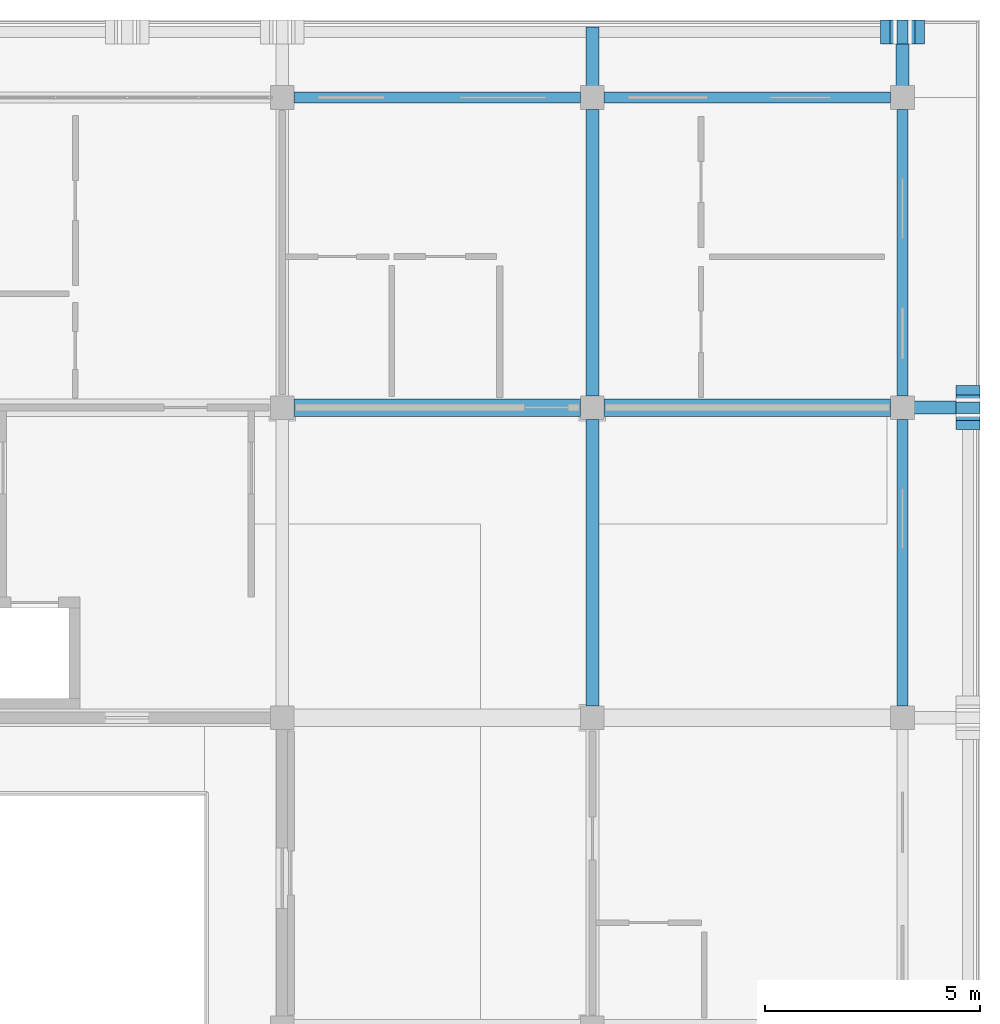
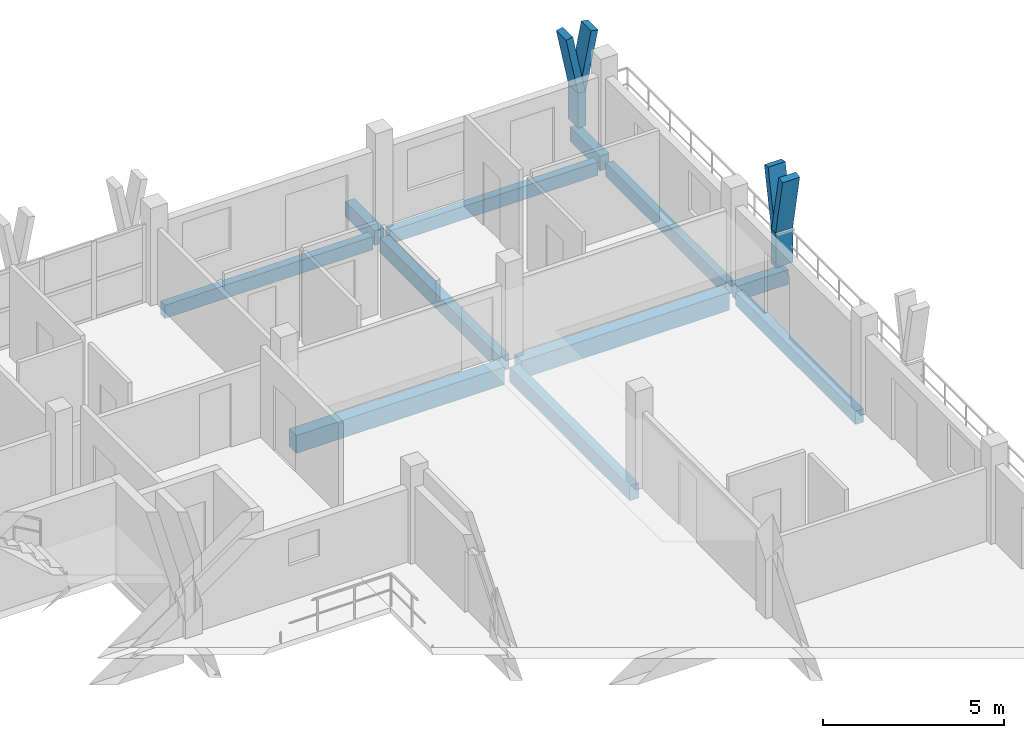
# One storey, part 28 of 60: 11 beams, 6 members.
"""IFC4 building model written with IfcOpenShell, lengths in metres."""

from ifc_helpers import new_model, si_unit, direction, frame, origin, origin_2d, place, context, subcontext, project, spatial, rectangle, extrude, material, material_profile, profile_set, type_object, element, save


model = new_model("IFC4")

# Units and contexts
model_context = context("Model", 3, precision=1e-05, world=origin(), true_north=direction((0.0, 1.0)))
body_context = subcontext(model_context, "Body", "Model", "MODEL_VIEW")
ifc_project = project(units=[si_unit("LENGTHUNIT", "METRE"), si_unit("AREAUNIT", "SQUARE_METRE"), si_unit("VOLUMEUNIT", "CUBIC_METRE"), si_unit("PLANEANGLEUNIT", "RADIAN"), si_unit("MASSUNIT", "GRAM", prefix="KILO")], contexts=[model_context])

# Site, building, storey
site_placement = place(None, origin())
site = spatial("IfcSite", under=ifc_project, at=site_placement, CompositionType="ELEMENT")
building_placement = place(site_placement, origin())
building = spatial("IfcBuilding", under=site, at=building_placement, Name="Suanplinth Sawtooth Commons", CompositionType="ELEMENT")
storey_placement = place(building_placement, frame((0.0, 0.0, 31.5)))
storey = spatial("IfcBuildingStorey", under=building, at=storey_placement, Name="L09", CompositionType="ELEMENT", Elevation=31.5)

# Beams
ifc_material_1 = material(Name="Precast concrete C40/50", Category="concrete")
ifc_material_profile_1 = material_profile(ifc_material_1, rectangle(XDim=0.39990234375, YDim=0.60009765625, at=origin_2d()), Name="PC-GDR 400x600")
ifc_profile_set_1 = profile_set([ifc_material_profile_1], Name="Precast concrete C40/50")
beam_type_1 = type_object("IfcBeamType", Name="B-05", PredefinedType="USERDEFINED", material=ifc_profile_set_1)
for number, where, z_axis, x_axis, name in (
    (1, (173.074951171875, 115.199951171875, -0.550048828125), (1.0, 0.0, 0.0), (0.0, 1.0, 0.0), "BMX-L09-B-24-16"),
    (2, (180.27490234375, 115.199951171875, -0.550048828125), (1.0, 0.0, 0.0), (0.0, 1.0, 0.0), "BMX-L09-B-25-16"),
):
    element("IfcBeam", number, at=place(storey_placement, frame(where, z_axis=z_axis, x_axis=x_axis)), inside=storey, type_object=beam_type_1, Name=name, ObjectType="GIRDER", PredefinedType="USERDEFINED", context=body_context, shape_type="SweptSolid", body=[
        extrude(rectangle(XDim=0.39990234375, YDim=0.60009765625, at=origin_2d()), origin(), (0.0, 0.0, 1.0), 6.650146484375),
    ])
ifc_material_profile_2 = material_profile(ifc_material_1, rectangle(XDim=0.300048828125, YDim=0.5, at=origin_2d()), Name="PC-BM 300x500")
ifc_profile_set_2 = profile_set([ifc_material_profile_2], Name="Precast concrete C40/50")
beam_type_2 = type_object("IfcBeamType", Name="B-07", PredefinedType="BEAM", material=ifc_profile_set_2)
beam_1_placement = place(storey_placement, frame((180.0, 108.27490234375, -0.5), z_axis=(0.0, 1.0, 0.0), x_axis=(-1.0, 0.0, 0.0)))
element("IfcBeam", 3, at=beam_1_placement, inside=storey, type_object=beam_type_2, Name="BMY-L09-B-25-15", PredefinedType="BEAM", context=body_context, shape_type="SweptSolid", body=[
    extrude(rectangle(XDim=0.300048828125, YDim=0.5, at=origin_2d()), origin(), (0.0, 0.0, 1.0), 6.650146484375),
])
beam_2_placement = place(storey_placement, frame((180.0, 115.47509765625, -0.5), z_axis=(0.0, 1.0, 0.0), x_axis=(-1.0, 0.0, 0.0)))
element("IfcBeam", 4, at=beam_2_placement, inside=storey, type_object=beam_type_2, Name="BMY-L09-B-25-16", PredefinedType="BEAM", context=body_context, shape_type="SweptSolid", body=[
    extrude(rectangle(XDim=0.300048828125, YDim=0.5, at=origin_2d()), origin(), (0.0, 0.0, 1.0), 6.64990234375),
])
for number, where, z_axis, x_axis, name in (
    (5, (180.0, 122.39990234375, -0.429931640625), (0.0, 1.0, 0.0), (-1.0, 0.0, 0.0), "Balcony Outrigger L09-B-N-25"),
    (6, (187.199951171875, 122.39990234375, -0.429931640625), (0.0, 1.0, 0.0), (-1.0, 0.0, 0.0), "Balcony Outrigger L09-B-N-26"),
    (7, (187.199951171875, 115.199951171875, -0.429931640625), (1.0, 0.0, 0.0), (0.0, 1.0, 0.0), "Balcony Outrigger L09-B-E-16"),
):
    element("IfcBeam", number, at=place(storey_placement, frame(where, z_axis=z_axis, x_axis=x_axis)), inside=storey, type_object=beam_type_2, Name=name, PredefinedType="BEAM", context=body_context, shape_type="SweptSolid", body=[
        extrude(rectangle(XDim=0.300048828125, YDim=0.5, at=origin_2d()), origin(), (0.0, 0.0, 1.0), 1.64013671875),
    ])
ifc_material_profile_3 = material_profile(ifc_material_1, rectangle(XDim=0.25, YDim=0.449951171875, at=origin_2d()), Name="PC-SP 250x450")
ifc_profile_set_3 = profile_set([ifc_material_profile_3], Name="Precast concrete C40/50")
beam_type_3 = type_object("IfcBeamType", Name="B-09", PredefinedType="SPANDREL", material=ifc_profile_set_3)
for number, where, z_axis, x_axis, name in (
    (8, (173.074951171875, 122.39990234375, -0.47509765625), (1.0, 0.0, 0.0), (0.0, 1.0, 0.0), "BMX-L09-B-24-17"),
    (9, (180.27490234375, 122.39990234375, -0.47509765625), (1.0, 0.0, 0.0), (0.0, 1.0, 0.0), "BMX-L09-B-25-17"),
    (10, (187.199951171875, 108.27490234375, -0.47509765625), (0.0, 1.0, 0.0), (-1.0, 0.0, 0.0), "BMY-L09-B-26-15"),
):
    element("IfcBeam", number, at=place(storey_placement, frame(where, z_axis=z_axis, x_axis=x_axis)), inside=storey, type_object=beam_type_3, Name=name, PredefinedType="SPANDREL", context=body_context, shape_type="SweptSolid", body=[
        extrude(rectangle(XDim=0.25, YDim=0.449951171875, at=origin_2d()), origin(), (0.0, 0.0, 1.0), 6.650146484375),
    ])
beam_3_placement = place(storey_placement, frame((187.199951171875, 115.47509765625, -0.47509765625), z_axis=(0.0, 1.0, 0.0), x_axis=(-1.0, 0.0, 0.0)))
element("IfcBeam", 11, at=beam_3_placement, inside=storey, type_object=beam_type_3, Name="BMY-L09-B-26-16", PredefinedType="SPANDREL", context=body_context, shape_type="SweptSolid", body=[
    extrude(rectangle(XDim=0.25, YDim=0.449951171875, at=origin_2d()), origin(), (0.0, 0.0, 1.0), 6.64990234375),
])

# Members
ifc_material_2 = material(Name="Pigmented precast concrete C40/50", Category="concrete")
ifc_material_profile_4 = material_profile(ifc_material_2, rectangle(XDim=0.260009765625, YDim=0.550048828125, at=origin_2d()), Name="PC-FIN 260x550")
ifc_profile_set_4 = profile_set([ifc_material_profile_4], Name="Pigmented precast concrete C40/50")
member_type_1 = type_object("IfcMemberType", Name="M-09", PredefinedType="USERDEFINED", material=ifc_profile_set_4)
for number, where, z_axis, x_axis, name in (
    (12, (187.199951171875, 123.919921875, 0.0), (0.0, 0.0, 1.0), (1.0, 0.0, 0.0), "Y-Blade Stem L09-B-N-07"),
    (13, (188.719970703125, 115.199951171875, 0.0), (0.0, 0.0, 1.0), (0.0, 1.0, 0.0), "Y-Blade Stem L09-B-E-10"),
):
    element("IfcMember", number, at=place(storey_placement, frame(where, z_axis=z_axis, x_axis=x_axis)), inside=storey, type_object=member_type_1, Name=name, ObjectType="SHADING FIN", PredefinedType="USERDEFINED", context=body_context, shape_type="SweptSolid", body=[
        extrude(rectangle(XDim=0.260009765625, YDim=0.550048828125, at=origin_2d()), origin(), (0.0, 0.0, 1.0), 1.169921875),
    ])
ifc_material_profile_5 = material_profile(ifc_material_2, rectangle(XDim=0.219970703125, YDim=0.550048828125, at=origin_2d()), Name="PC-FIN 220x550")
ifc_profile_set_5 = profile_set([ifc_material_profile_5], Name="Pigmented precast concrete C40/50")
member_type_2 = type_object("IfcMemberType", Name="M-10", PredefinedType="USERDEFINED", material=ifc_profile_set_5)
for number, where, z_axis, x_axis, name in (
    (14, (187.199951171875, 123.919921875, 1.1298828125), (-0.196415357203, 0.0, 0.980520783795), (0.980520783795, 0.0, 0.196415357203), "Y-Blade Arm L L09-B-N-07"),
    (15, (187.199951171875, 123.919921875, 1.1298828125), (0.196530428008, 0.0, 0.98049772609), (-0.98049772609, 0.0, 0.196530428008), "Y-Blade Arm R L09-B-N-07"),
    (16, (188.719970703125, 115.199951171875, 1.1298828125), (0.0, -0.196415357203, 0.980520783795), (0.0, 0.980520783795, 0.196415357203), "Y-Blade Arm L L09-B-E-10"),
    (17, (188.719970703125, 115.199951171875, 1.1298828125), (0.0, 0.196530428008, 0.98049772609), (0.0, -0.98049772609, 0.196530428008), "Y-Blade Arm R L09-B-E-10"),
):
    element("IfcMember", number, at=place(storey_placement, frame(where, z_axis=z_axis, x_axis=x_axis)), inside=storey, type_object=member_type_2, Name=name, ObjectType="SHADING FIN", PredefinedType="USERDEFINED", context=body_context, shape_type="SweptSolid", body=[
        extrude(rectangle(XDim=0.219970703125, YDim=0.550048828125, at=origin_2d()), origin(), (0.0, 0.0, 1.0), 2.039794921875),
    ])

save(model, "model.ifc")
